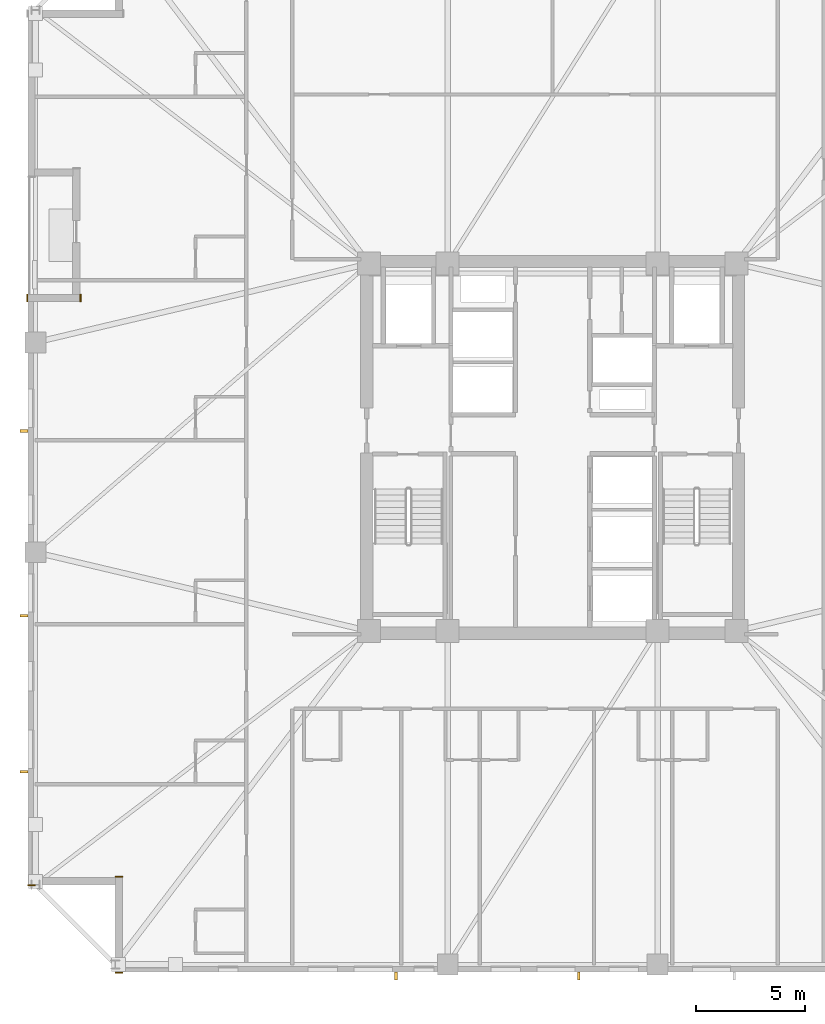
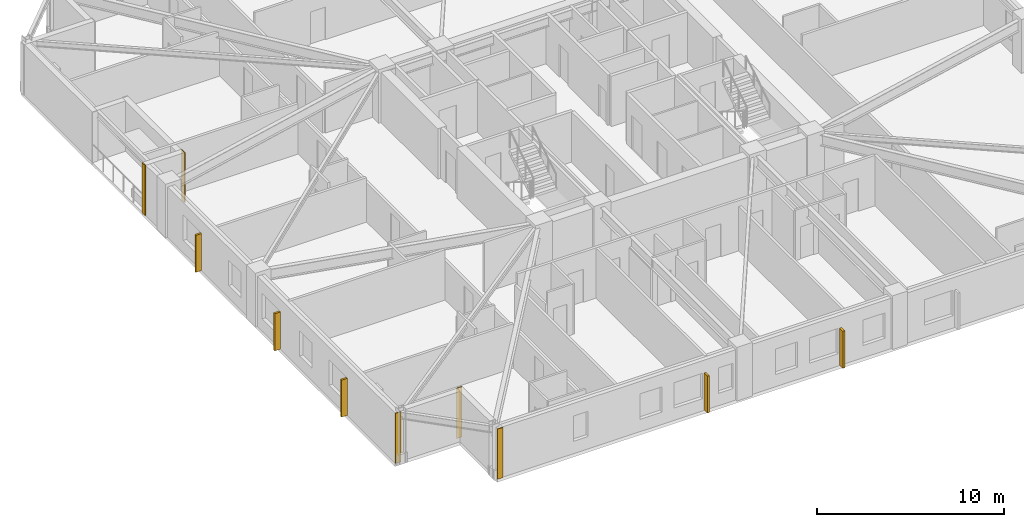
# One storey, part 7 of 11: 5 coverings, 5 shading devices.
"""IFC4 building model written with IfcOpenShell, lengths in metres."""

from ifc_helpers import new_model, si_unit, direction, frame, frame_2d, origin, origin_2d, place, context, subcontext, project, spatial, rectangle, extrude, material, layer, layer_set, type_object, element, save


model = new_model("IFC4")

# Units and contexts
model_context = context("Model", 3, precision=1e-05, world=origin(), true_north=direction((0.0, 1.0)))
body_context = subcontext(model_context, "Body", "Model", "MODEL_VIEW")
ifc_project = project(units=[si_unit("LENGTHUNIT", "METRE"), si_unit("AREAUNIT", "SQUARE_METRE"), si_unit("VOLUMEUNIT", "CUBIC_METRE"), si_unit("PLANEANGLEUNIT", "RADIAN"), si_unit("MASSUNIT", "GRAM", prefix="KILO")], contexts=[model_context])

# Site, building, storey
site_placement = place(None, origin())
site = spatial("IfcSite", under=ifc_project, at=site_placement, CompositionType="ELEMENT")
building_placement = place(site_placement, origin())
building = spatial("IfcBuilding", under=site, at=building_placement, Name="Cairnveth Concourse Tower", CompositionType="ELEMENT")
storey_placement = place(building_placement, frame((0.0, 0.0, 116.5)))
storey = spatial("IfcBuildingStorey", under=building, at=storey_placement, Name="L31", CompositionType="ELEMENT", Elevation=116.5)

# Coverings
ifc_material_1 = material(Name="Dressed Melbourne Bluestone Cladding", Category="masonry")
ifc_layer = layer(ifc_material_1, 0.050048828125)
ifc_layer_set = layer_set([ifc_layer], Name="Dressed Melbourne Bluestone Cladding")
covering_type = type_object("IfcCoveringType", Name="DRESSED BLUESTONE PLINTH CLADDING 50", PredefinedType="CLADDING", material=ifc_layer_set)
for number, where, z_axis, x_axis, name in (
    (1, (32.340087890625, 14.97998046875, 0.0), (0.0, 0.0, 1.0), (-1.0, 0.0, 0.0), "Melbourne Bluestone Corner Quoin L31-445"),
    (2, (32.340087890625, 19.360107421875, 0.0), (0.0, 0.0, 1.0), (-1.0, 0.0, 0.0), "Melbourne Bluestone Corner Quoin L31-446"),
    (3, (28.340087890625, 18.97998046875, 0.0), (0.0, 0.0, 1.0), (-1.0, 0.0, 0.0), "Melbourne Bluestone Corner Quoin L31-447"),
    (4, (27.97998046875, 45.659912109375, 0.0), (0.0, 0.0, 1.0), (0.0, 1.0, 0.0), "Melbourne Bluestone Corner Quoin L31-448"),
    (5, (30.409912109375, 45.659912109375, 0.0), (0.0, 0.0, 1.0), (0.0, 1.0, 0.0), "Melbourne Bluestone Corner Quoin L31-449"),
):
    element("IfcCovering", number, at=place(storey_placement, frame(where, z_axis=z_axis, x_axis=x_axis)), inside=storey, type_object=covering_type, Name=name, PredefinedType="CLADDING", context=body_context, shape_type="SweptSolid", body=[
        extrude(rectangle(XDim=0.340087890625, YDim=0.050048828125, at=frame_2d((0.169921875, 0.0))), origin(), (0.0, 0.0, 1.0), 3.280029296875),
    ])

# Shading devices
ifc_material_2 = material(Name="Architectural Bronze Anodised Aluminium 6063-T6", Category="aluminium")
shading_device_type = type_object("IfcShadingDeviceType", Name="GOTHIC BRONZE VERTICAL LANCET FIN", PredefinedType="USERDEFINED", material=ifc_material_2)
for number, where, z_axis, x_axis, name in (
    (6, (53.194091796875, 14.824951171875, 0.030029296875), (0.0, 0.0, 1.0), (1.0, 0.0, 0.0), "Gothic Bronze Vertical Fin L31-9-5"),
    (7, (44.8369140625, 14.824951171875, 0.030029296875), (0.0, 0.0, 1.0), (1.0, 0.0, 0.0), "Gothic Bronze Vertical Fin L31-9-7"),
    (8, (27.824951171875, 24.1630859375, 0.030029296875), (0.0, 0.0, 1.0), (0.0, 1.0, 0.0), "Gothic Bronze Vertical Fin L31-12-1"),
    (9, (27.824951171875, 31.305908203125, 0.030029296875), (0.0, 0.0, 1.0), (0.0, 1.0, 0.0), "Gothic Bronze Vertical Fin L31-12-3"),
    (10, (27.824951171875, 39.748779296875, 0.030029296875), (0.0, 0.0, 1.0), (0.0, 1.0, 0.0), "Gothic Bronze Vertical Fin L31-12-5"),
):
    element("IfcShadingDevice", number, at=place(storey_placement, frame(where, z_axis=z_axis, x_axis=x_axis)), inside=storey, type_object=shading_device_type, Name=name, ObjectType="VERTICAL FIN", PredefinedType="USERDEFINED", context=body_context, shape_type="SweptSolid", body=[
        extrude(rectangle(XDim=0.1201171875, YDim=0.360107421875, at=origin_2d()), origin(), (0.0, 0.0, 1.0), 2.419921875),
    ])

save(model, "model.ifc")
